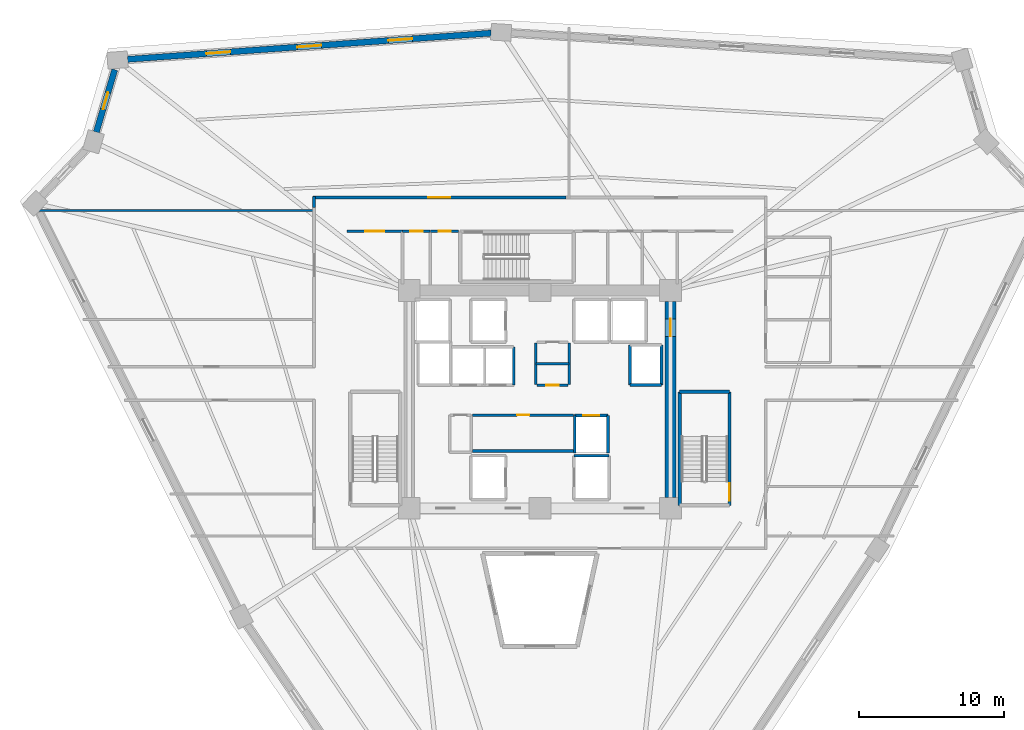
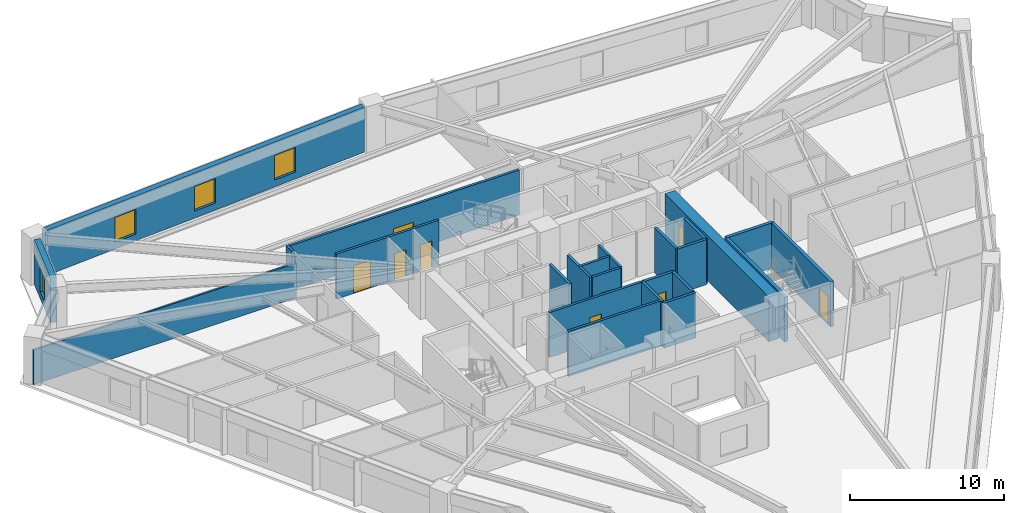
# One storey, part 5 of 8: 26 walls, 9 doors, 4 windows, 13 openings.
"""IFC4 building model written with IfcOpenShell, lengths in metres."""

from ifc_helpers import new_model, si_unit, direction, frame, frame_2d, origin, place, context, subcontext, project, spatial, rectangle, extrude, source, transform, mapped, material, layer, layer_set, type_object, element, fill, save


model = new_model("IFC4")

# Units and contexts
model_context = context("Model", 3, precision=1e-05, world=origin(), true_north=direction((0.0, 1.0)))
body_context = subcontext(model_context, "Body", "Model", "MODEL_VIEW")
ifc_project = project(units=[si_unit("LENGTHUNIT", "METRE"), si_unit("AREAUNIT", "SQUARE_METRE"), si_unit("VOLUMEUNIT", "CUBIC_METRE"), si_unit("PLANEANGLEUNIT", "RADIAN"), si_unit("MASSUNIT", "GRAM", prefix="KILO")], contexts=[model_context])

# Site, building, storey
site_placement = place(None, origin())
site = spatial("IfcSite", under=ifc_project, at=site_placement, CompositionType="ELEMENT")
building_placement = place(site_placement, origin())
building = spatial("IfcBuilding", under=site, at=building_placement, Name="Liaohun Quay Tower", CompositionType="ELEMENT")
storey_placement = place(building_placement, frame((0.0, 0.0, 170.25)))
storey = spatial("IfcBuildingStorey", under=building, at=storey_placement, Name="L44", CompositionType="ELEMENT", Elevation=170.25)

# Wall, opening, door
ifc_material_1 = material(Name="Concrete C60", Category="concrete")
ifc_layer_1 = layer(ifc_material_1, 0.75, Name="Concrete C60", Category="concrete")
ifc_layer_set_1 = layer_set([ifc_layer_1], Name="Concrete C60")
wall_type_1 = type_object("IfcWallType", Name="WAL-COR-Z2", PredefinedType="SHEAR", material=ifc_layer_set_1)
wall_1_placement = place(storey_placement, frame((69.0, 60.75, 0.0), z_axis=(0.0, 0.0, 1.0), x_axis=(0.0, -1.0, 0.0)))
wall_1 = element("IfcWall", 1, at=wall_1_placement, inside=storey, type_object=wall_type_1, Name="L44 Central Core Shear Wall E", PredefinedType="SHEAR", context=body_context, shape_type="SweptSolid", body=[
    extrude(rectangle(XDim=13.5, YDim=0.75, at=frame_2d((6.75, 0.0))), origin(), (0.0, 0.0, 1.0), 3.570068359375),
])
shared_shape_1 = source(origin(), body_context, "Body", "SweptSolid", [
    extrude(rectangle(XDim=1.199951171875, YDim=2.199951171875, at=frame_2d((0.60009765625, 1.10009765625))), frame((0.0, 0.385009765625, 0.0), z_axis=(0.0, -1.0, 0.0), x_axis=(1.0, 0.0, 0.0)), (0.0, 0.0, 1.0), 0.77001953125),
])
opening_1_placement = place(wall_1_placement, frame((1.199951171875, 0.0, 0.0)))
opening_1 = element("IfcOpeningElement", 2, at=opening_1_placement, cuts=wall_1, Name="Opening SD1", PredefinedType="OPENING", context=body_context, shape_type="MappedRepresentation", body=[
    mapped(shared_shape_1, transform((0.0, 0.0, 0.0), x_axis=(1.0, 0.0, 0.0), y_axis=(0.0, 1.0, 0.0), z_axis=(0.0, 0.0, 1.0), scale=1.0)),
])
ifc_material_2 = material(Name="Galvanised steel fire door", Category="steel")
door_type_1 = type_object("IfcDoorType", Name="DOR-STR-1200", OperationType="NOTDEFINED", PredefinedType="DOOR", material=ifc_material_2)
shared_shape_2 = source(origin(), body_context, "Body", "SweptSolid", [
    extrude(rectangle(XDim=1.199951171875, YDim=2.199951171875, at=frame_2d((0.60009765625, 1.10009765625))), frame((0.0, 0.02490234375, 0.0), z_axis=(0.0, -1.0, 0.0), x_axis=(1.0, 0.0, 0.0)), (0.0, 0.0, 1.0), 0.050048828125),
])
door_1_placement = place(opening_1_placement, origin())
door_1 = element("IfcDoor", 3, at=door_1_placement, inside=storey, type_object=door_type_1, Name="L44 North-East Core Lobby Smokeproof Door", OperationType="SINGLE_SWING_LEFT", OverallHeight=2.199951171875, OverallWidth=1.199951171875, PredefinedType="DOOR", context=body_context, shape_type="MappedRepresentation", body=[
    mapped(shared_shape_2, transform((0.0, 0.0, 0.0), x_axis=(1.0, 0.0, 0.0), y_axis=(0.0, 1.0, 0.0), z_axis=(0.0, 0.0, 1.0), scale=1.0)),
])
fill(opening_1, door_1)

# Wall, openings, windows
ifc_material_3 = material(Name="Precast concrete C50 insulated sandwich", Category="concrete")
ifc_layer_2 = layer(ifc_material_3, 0.419921875, Name="Precast concrete C50 insulated sandwich", Category="concrete")
ifc_layer_set_2 = layer_set([ifc_layer_2], Name="Precast concrete C50 insulated sandwich")
wall_type_2 = type_object("IfcWallType", Name="WAL-EXT-Z12", PredefinedType="SOLIDWALL", material=ifc_layer_set_2)
wall_2_placement = place(storey_placement, frame((56.64111328125, 79.23291015625, 0.0), z_axis=(0.0, 0.0, 1.0), x_axis=(-0.997406603589, -0.071972683136, 0.0)))
wall_2 = element("IfcWall", 4, at=wall_2_placement, inside=storey, type_object=wall_type_2, Name="L44 Brutalist Precast Pier Wall 07", PredefinedType="SOLIDWALL", context=body_context, shape_type="SweptSolid", body=[
    extrude(rectangle(XDim=25.105224609375, YDim=0.419921875, at=frame_2d((12.552734375, 0.0))), origin(), (0.0, 0.0, 1.0), 3.570068359375),
])
shared_shape_3 = source(origin(), body_context, "Body", "SweptSolid", [
    extrude(rectangle(XDim=1.64990234375, YDim=1.949951171875, at=frame_2d((0.824951171875, 0.97509765625))), frame((0.0, 0.219970703125, 0.0), z_axis=(0.0, -1.0, 0.0), x_axis=(1.0, 0.0, 0.0)), (0.0, 0.0, 1.0), 0.43994140625),
])
opening_2_placement = place(wall_2_placement, frame((5.450927734375, 0.0, 0.550048828125)))
opening_2 = element("IfcOpeningElement", 5, at=opening_2_placement, cuts=wall_2, Name="Opening W02", PredefinedType="OPENING", context=body_context, shape_type="MappedRepresentation", body=[
    mapped(shared_shape_3, transform((0.0, 0.0, 0.0), x_axis=(1.0, 0.0, 0.0), y_axis=(0.0, 1.0, 0.0), z_axis=(0.0, 0.0, 1.0), scale=1.0)),
])
opening_3_placement = place(wall_2_placement, frame((11.72802734375, 0.0, 0.550048828125)))
opening_3 = element("IfcOpeningElement", 6, at=opening_3_placement, cuts=wall_2, Name="Opening W02", PredefinedType="OPENING", context=body_context, shape_type="MappedRepresentation", body=[
    mapped(shared_shape_3, transform((0.0, 0.0, 0.0), x_axis=(1.0, 0.0, 0.0), y_axis=(0.0, 1.0, 0.0), z_axis=(0.0, 0.0, 1.0), scale=1.0)),
])
opening_4_placement = place(wall_2_placement, frame((18.00390625, 0.0, 0.550048828125)))
opening_4 = element("IfcOpeningElement", 7, at=opening_4_placement, cuts=wall_2, Name="Opening W02", PredefinedType="OPENING", context=body_context, shape_type="MappedRepresentation", body=[
    mapped(shared_shape_3, transform((0.0, 0.0, 0.0), x_axis=(1.0, 0.0, 0.0), y_axis=(0.0, 1.0, 0.0), z_axis=(0.0, 0.0, 1.0), scale=1.0)),
])
ifc_material_4 = material(Name="Triple Low-E argon glazing in thermally broken aluminium", Category="aluminium")
window_type_1 = type_object("IfcWindowType", Name="WIN-PUN-Z2", PartitioningType="DOUBLE_PANEL_VERTICAL", PredefinedType="WINDOW", material=ifc_material_4)
shared_shape_4 = source(origin(), body_context, "Body", "SweptSolid", [
    extrude(rectangle(XDim=1.64990234375, YDim=1.949951171875, at=frame_2d((0.824951171875, 0.97509765625))), frame((0.0, 0.030029296875, 0.0), z_axis=(0.0, -1.0, 0.0), x_axis=(1.0, 0.0, 0.0)), (0.0, 0.0, 1.0), 0.06005859375),
])
window_1_placement = place(opening_2_placement, origin())
window_1 = element("IfcWindow", 8, at=window_1_placement, inside=storey, type_object=window_type_1, Name="L44 Recessed Cold-Climate Punched Window 07-1", OverallHeight=1.949951171875, OverallWidth=1.64990234375, PartitioningType="DOUBLE_PANEL_VERTICAL", PredefinedType="WINDOW", context=body_context, shape_type="MappedRepresentation", body=[
    mapped(shared_shape_4, transform((0.0, 0.0, 0.0), x_axis=(1.0, 0.0, 0.0), y_axis=(0.0, 1.0, 0.0), z_axis=(0.0, 0.0, 1.0), scale=1.0)),
])
fill(opening_2, window_1)
window_2_placement = place(opening_3_placement, origin())
window_2 = element("IfcWindow", 9, at=window_2_placement, inside=storey, type_object=window_type_1, Name="L44 Recessed Cold-Climate Punched Window 07-2", OverallHeight=1.949951171875, OverallWidth=1.64990234375, PartitioningType="DOUBLE_PANEL_VERTICAL", PredefinedType="WINDOW", context=body_context, shape_type="MappedRepresentation", body=[
    mapped(shared_shape_4, transform((0.0, 0.0, 0.0), x_axis=(1.0, 0.0, 0.0), y_axis=(0.0, 1.0, 0.0), z_axis=(0.0, 0.0, 1.0), scale=1.0)),
])
fill(opening_3, window_2)
window_3_placement = place(opening_4_placement, origin())
window_3 = element("IfcWindow", 10, at=window_3_placement, inside=storey, type_object=window_type_1, Name="L44 Recessed Cold-Climate Punched Window 07-3", OverallHeight=1.949951171875, OverallWidth=1.64990234375, PartitioningType="DOUBLE_PANEL_VERTICAL", PredefinedType="WINDOW", context=body_context, shape_type="MappedRepresentation", body=[
    mapped(shared_shape_4, transform((0.0, 0.0, 0.0), x_axis=(1.0, 0.0, 0.0), y_axis=(0.0, 1.0, 0.0), z_axis=(0.0, 0.0, 1.0), scale=1.0)),
])
fill(opening_4, window_3)

# Wall, opening, window
wall_3_placement = place(storey_placement, frame((30.718017578125, 76.714111328125, 0.0), z_axis=(0.0, 0.0, 1.0), x_axis=(-0.282994479967, -0.959121537819, 0.0)))
wall_3 = element("IfcWall", 11, at=wall_3_placement, inside=storey, type_object=wall_type_2, Name="L44 Brutalist Precast Pier Wall 08", PredefinedType="SOLIDWALL", context=body_context, shape_type="SweptSolid", body=[
    extrude(rectangle(XDim=4.484375, YDim=0.419921875, at=frame_2d((2.2421875, 0.0))), origin(), (0.0, 0.0, 1.0), 3.570068359375),
])
shared_shape_5 = source(origin(), body_context, "Body", "SweptSolid", [
    extrude(rectangle(XDim=1.199951171875, YDim=1.89990234375, at=frame_2d((0.60009765625, 0.949951171875))), frame((0.0, 0.219970703125, 0.0), z_axis=(0.0, -1.0, 0.0), x_axis=(1.0, 0.0, 0.0)), (0.0, 0.0, 1.0), 0.43994140625),
])
opening_5_placement = place(wall_3_placement, frame((1.64208984375, 0.0, 0.550048828125)))
opening_5 = element("IfcOpeningElement", 12, at=opening_5_placement, cuts=wall_3, Name="Opening W05", PredefinedType="OPENING", context=body_context, shape_type="MappedRepresentation", body=[
    mapped(shared_shape_5, transform((0.0, 0.0, 0.0), x_axis=(1.0, 0.0, 0.0), y_axis=(0.0, 1.0, 0.0), z_axis=(0.0, 0.0, 1.0), scale=1.0)),
])
ifc_material_5 = material(Name="Triple Low-E corner notch glazing", Category="glass")
window_type_2 = type_object("IfcWindowType", Name="WIN-NOTCH", PartitioningType="SINGLE_PANEL", PredefinedType="WINDOW", material=ifc_material_5)
shared_shape_6 = source(origin(), body_context, "Body", "SweptSolid", [
    extrude(rectangle(XDim=1.199951171875, YDim=1.89990234375, at=frame_2d((0.60009765625, 0.949951171875))), frame((0.0, 0.030029296875, 0.0), z_axis=(0.0, -1.0, 0.0), x_axis=(1.0, 0.0, 0.0)), (0.0, 0.0, 1.0), 0.06005859375),
])
window_4_placement = place(opening_5_placement, origin())
window_4 = element("IfcWindow", 13, at=window_4_placement, inside=storey, type_object=window_type_2, Name="L44 Corner Notch Window W05-08", OverallHeight=1.89990234375, OverallWidth=1.199951171875, PartitioningType="SINGLE_PANEL", PredefinedType="WINDOW", context=body_context, shape_type="MappedRepresentation", body=[
    mapped(shared_shape_6, transform((0.0, 0.0, 0.0), x_axis=(1.0, 0.0, 0.0), y_axis=(0.0, 1.0, 0.0), z_axis=(0.0, 0.0, 1.0), scale=1.0)),
])
fill(opening_5, window_4)

# Wall, opening, door
ifc_material_6 = material(Name="Autoclaved aerated concrete blockwork", Category="masonry")
ifc_layer_3 = layer(ifc_material_6, 0.179931640625, Name="Autoclaved aerated concrete blockwork", Category="masonry")
ifc_layer_set_3 = layer_set([ifc_layer_3], Name="Autoclaved aerated concrete blockwork")
wall_type_3 = type_object("IfcWallType", Name="WAL-PRT-COR", PredefinedType="PARTITIONING", material=ifc_layer_set_3)
wall_4_placement = place(storey_placement, frame((55.3701171875, 52.919921875, 0.0), z_axis=(0.0, 0.0, 1.0), x_axis=(1.0, 0.0, 0.0)))
wall_4 = element("IfcWall", 14, at=wall_4_placement, inside=storey, type_object=wall_type_3, Name="L44 Interior Partition Wall 001", PredefinedType="PARTITIONING", context=body_context, shape_type="SweptSolid", body=[
    extrude(rectangle(XDim=6.929931640625, YDim=0.179931640625, at=frame_2d((3.46484375, 0.0))), origin(), (0.0, 0.0, 1.0), 3.570068359375),
])
shared_shape_7 = source(origin(), body_context, "Body", "SweptSolid", [
    extrude(rectangle(XDim=0.85009765625, YDim=2.10009765625, at=frame_2d((0.425048828125, 1.050048828125))), frame((0.0, 0.099853515625, 0.0), z_axis=(0.0, -1.0, 0.0), x_axis=(1.0, 0.0, 0.0)), (0.0, 0.0, 1.0), 0.199951171875),
])
opening_6_placement = place(wall_4_placement, frame((3.054931640625, 0.0, 0.0)))
opening_6 = element("IfcOpeningElement", 15, at=opening_6_placement, cuts=wall_4, Name="Opening AD1", PredefinedType="OPENING", context=body_context, shape_type="MappedRepresentation", body=[
    mapped(shared_shape_7, transform((0.0, 0.0, 0.0), x_axis=(1.0, 0.0, 0.0), y_axis=(0.0, 1.0, 0.0), z_axis=(0.0, 0.0, 1.0), scale=1.0)),
])
ifc_material_7 = material(Name="Steel riser inspection fire door", Category="steel")
door_type_2 = type_object("IfcDoorType", Name="DOR-SHF-850", OperationType="NOTDEFINED", PredefinedType="DOOR", material=ifc_material_7)
shared_shape_8 = source(origin(), body_context, "Body", "SweptSolid", [
    extrude(rectangle(XDim=0.85009765625, YDim=2.10009765625, at=frame_2d((0.425048828125, 1.050048828125))), frame((0.0, 0.02490234375, 0.0), z_axis=(0.0, -1.0, 0.0), x_axis=(1.0, 0.0, 0.0)), (0.0, 0.0, 1.0), 0.050048828125),
])
door_2_placement = place(opening_6_placement, origin())
door_2 = element("IfcDoor", 16, at=door_2_placement, inside=storey, type_object=door_type_2, Name="L44 Core Tenant Storage and Archive Room Door", OperationType="SINGLE_SWING_RIGHT", OverallHeight=2.10009765625, OverallWidth=0.85009765625, PredefinedType="DOOR", context=body_context, shape_type="MappedRepresentation", body=[
    mapped(shared_shape_8, transform((0.0, 0.0, 0.0), x_axis=(1.0, 0.0, 0.0), y_axis=(0.0, 1.0, 0.0), z_axis=(0.0, 0.0, 1.0), scale=1.0)),
])
fill(opening_6, door_2)

wall_5_placement = place(storey_placement, frame((59.81005859375, 54.97998046875, 0.0), z_axis=(0.0, 0.0, 1.0), x_axis=(1.0, 0.0, 0.0)))
wall_5 = element("IfcWall", 17, at=wall_5_placement, inside=storey, type_object=wall_type_3, Name="L44 Interior Partition Wall 002", PredefinedType="PARTITIONING", context=body_context, shape_type="SweptSolid", body=[
    extrude(rectangle(XDim=2.10986328125, YDim=0.179931640625, at=frame_2d((1.054931640625, 0.0))), origin(), (0.0, 0.0, 1.0), 3.570068359375),
])
opening_7_placement = place(wall_5_placement, frame((0.635009765625, 0.0, 0.0)))
opening_7 = element("IfcOpeningElement", 18, at=opening_7_placement, cuts=wall_5, Name="Opening AD1", PredefinedType="OPENING", context=body_context, shape_type="MappedRepresentation", body=[
    mapped(shared_shape_7, transform((0.0, 0.0, 0.0), x_axis=(1.0, 0.0, 0.0), y_axis=(0.0, 1.0, 0.0), z_axis=(0.0, 0.0, 1.0), scale=1.0)),
])
door_3_placement = place(opening_7_placement, origin())
door_3 = element("IfcDoor", 19, at=door_3_placement, inside=storey, type_object=door_type_2, Name="L44 Electrical Riser Room Door", OperationType="SINGLE_SWING_LEFT", OverallHeight=2.10009765625, OverallWidth=0.85009765625, PredefinedType="DOOR", context=body_context, shape_type="MappedRepresentation", body=[
    mapped(shared_shape_8, transform((0.0, 0.0, 0.0), x_axis=(1.0, 0.0, 0.0), y_axis=(0.0, 1.0, 0.0), z_axis=(0.0, 0.0, 1.0), scale=1.0)),
])
fill(opening_7, door_3)

wall_6_placement = place(storey_placement, frame((50.5400390625, 65.580078125, 0.0), z_axis=(0.0, 0.0, 1.0), x_axis=(1.0, 0.0, 0.0)))
wall_6 = element("IfcWall", 20, at=wall_6_placement, inside=storey, type_object=wall_type_3, Name="L44 Interior Partition Wall 008", PredefinedType="PARTITIONING", context=body_context, shape_type="SweptSolid", body=[
    extrude(rectangle(XDim=1.89990234375, YDim=0.179931640625, at=frame_2d((0.949951171875, 0.0))), origin(), (0.0, 0.0, 1.0), 3.570068359375),
])
opening_8_placement = place(wall_6_placement, frame((0.52490234375, 0.0, 0.0)))
opening_8 = element("IfcOpeningElement", 21, at=opening_8_placement, cuts=wall_6, Name="Opening AD1", PredefinedType="OPENING", context=body_context, shape_type="MappedRepresentation", body=[
    mapped(shared_shape_7, transform((0.0, 0.0, 0.0), x_axis=(1.0, 0.0, 0.0), y_axis=(0.0, 1.0, 0.0), z_axis=(0.0, 0.0, 1.0), scale=1.0)),
])
door_4_placement = place(opening_8_placement, origin())
door_4 = element("IfcDoor", 22, at=door_4_placement, inside=storey, type_object=door_type_2, Name="L44 North-West Riser Closet Door", OperationType="SINGLE_SWING_LEFT", OverallHeight=2.10009765625, OverallWidth=0.85009765625, PredefinedType="DOOR", context=body_context, shape_type="MappedRepresentation", body=[
    mapped(shared_shape_8, transform((0.0, 0.0, 0.0), x_axis=(1.0, 0.0, 0.0), y_axis=(0.0, 1.0, 0.0), z_axis=(0.0, 0.0, 1.0), scale=1.0)),
])
fill(opening_8, door_4)

wall_7_placement = place(storey_placement, frame((52.47998046875, 65.580078125, 0.0), z_axis=(0.0, 0.0, 1.0), x_axis=(1.0, 0.0, 0.0)))
wall_7 = element("IfcWall", 23, at=wall_7_placement, inside=storey, type_object=wall_type_3, Name="L44 Interior Partition Wall 009", PredefinedType="PARTITIONING", context=body_context, shape_type="SweptSolid", body=[
    extrude(rectangle(XDim=1.929931640625, YDim=0.179931640625, at=frame_2d((0.96484375, 0.0))), origin(), (0.0, 0.0, 1.0), 3.570068359375),
])
opening_9_placement = place(wall_7_placement, frame((0.5400390625, 0.0, 0.0)))
opening_9 = element("IfcOpeningElement", 24, at=opening_9_placement, cuts=wall_7, Name="Opening AD1", PredefinedType="OPENING", context=body_context, shape_type="MappedRepresentation", body=[
    mapped(shared_shape_7, transform((0.0, 0.0, 0.0), x_axis=(1.0, 0.0, 0.0), y_axis=(0.0, 1.0, 0.0), z_axis=(0.0, 0.0, 1.0), scale=1.0)),
])
door_5_placement = place(opening_9_placement, origin())
door_5 = element("IfcDoor", 25, at=door_5_placement, inside=storey, type_object=door_type_2, Name="L44 North-West Print Closet Door", OperationType="SINGLE_SWING_RIGHT", OverallHeight=2.10009765625, OverallWidth=0.85009765625, PredefinedType="DOOR", context=body_context, shape_type="MappedRepresentation", body=[
    mapped(shared_shape_8, transform((0.0, 0.0, 0.0), x_axis=(1.0, 0.0, 0.0), y_axis=(0.0, 1.0, 0.0), z_axis=(0.0, 0.0, 1.0), scale=1.0)),
])
fill(opening_9, door_5)

wall_8_placement = place(storey_placement, frame((46.699951171875, 65.580078125, 0.0), z_axis=(0.0, 0.0, 1.0), x_axis=(1.0, 0.0, 0.0)))
wall_8 = element("IfcWall", 26, at=wall_8_placement, inside=storey, type_object=wall_type_3, Name="L44 Interior Partition Wall 013", PredefinedType="PARTITIONING", context=body_context, shape_type="SweptSolid", body=[
    extrude(rectangle(XDim=3.840087890625, YDim=0.179931640625, at=frame_2d((1.919921875, 0.0))), origin(), (0.0, 0.0, 1.0), 3.570068359375),
])
shared_shape_9 = source(origin(), body_context, "Body", "SweptSolid", [
    extrude(rectangle(XDim=1.300048828125, YDim=2.199951171875, at=frame_2d((0.64990234375, 1.10009765625))), frame((0.0, 0.099853515625, 0.0), z_axis=(0.0, -1.0, 0.0), x_axis=(1.0, 0.0, 0.0)), (0.0, 0.0, 1.0), 0.199951171875),
])
opening_10_placement = place(wall_8_placement, frame((1.27001953125, 0.0, 0.0)))
opening_10 = element("IfcOpeningElement", 27, at=opening_10_placement, cuts=wall_8, Name="Opening FD1", PredefinedType="OPENING", context=body_context, shape_type="MappedRepresentation", body=[
    mapped(shared_shape_9, transform((0.0, 0.0, 0.0), x_axis=(1.0, 0.0, 0.0), y_axis=(0.0, 1.0, 0.0), z_axis=(0.0, 0.0, 1.0), scale=1.0)),
])
ifc_material_8 = material(Name="Galvanised steel smokeproof fire door", Category="steel")
door_type_3 = type_object("IfcDoorType", Name="DOR-FFL-1300", OperationType="NOTDEFINED", PredefinedType="DOOR", material=ifc_material_8)
shared_shape_10 = source(origin(), body_context, "Body", "SweptSolid", [
    extrude(rectangle(XDim=1.300048828125, YDim=2.199951171875, at=frame_2d((0.64990234375, 1.10009765625))), frame((0.0, 0.02490234375, 0.0), z_axis=(0.0, -1.0, 0.0), x_axis=(1.0, 0.0, 0.0)), (0.0, 0.0, 1.0), 0.050048828125),
])
door_6_placement = place(opening_10_placement, origin())
door_6 = element("IfcDoor", 28, at=door_6_placement, inside=storey, type_object=door_type_3, Name="L44 West Core Vestibule Door", OperationType="SINGLE_SWING_RIGHT", OverallHeight=2.199951171875, OverallWidth=1.300048828125, PredefinedType="DOOR", context=body_context, shape_type="MappedRepresentation", body=[
    mapped(shared_shape_10, transform((0.0, 0.0, 0.0), x_axis=(1.0, 0.0, 0.0), y_axis=(0.0, 1.0, 0.0), z_axis=(0.0, 0.0, 1.0), scale=1.0)),
])
fill(opening_10, door_6)

wall_9_placement = place(storey_placement, frame((44.3701171875, 67.909912109375, 0.0), z_axis=(0.0, 0.0, 1.0), x_axis=(1.0, 0.0, 0.0)))
wall_9 = element("IfcWall", 29, at=wall_9_placement, inside=storey, type_object=wall_type_3, Name="L44 Interior Partition Wall 017", PredefinedType="PARTITIONING", context=body_context, shape_type="SweptSolid", body=[
    extrude(rectangle(XDim=17.414794921875, YDim=0.179931640625, at=frame_2d((8.70751953125, 0.0))), origin(), (0.0, 0.0, 1.0), 3.570068359375),
])
shared_shape_11 = source(origin(), body_context, "Body", "SweptSolid", [
    extrude(rectangle(XDim=1.5, YDim=2.199951171875, at=frame_2d((0.75, 1.10009765625))), frame((0.0, 0.099853515625, 0.0), z_axis=(0.0, -1.0, 0.0), x_axis=(1.0, 0.0, 0.0)), (0.0, 0.0, 1.0), 0.199951171875),
])
opening_11_placement = place(wall_9_placement, frame((7.95703125, 0.0, 0.0)))
opening_11 = element("IfcOpeningElement", 30, at=opening_11_placement, cuts=wall_9, Name="Opening OD2", PredefinedType="OPENING", context=body_context, shape_type="MappedRepresentation", body=[
    mapped(shared_shape_11, transform((0.0, 0.0, 0.0), x_axis=(1.0, 0.0, 0.0), y_axis=(0.0, 1.0, 0.0), z_axis=(0.0, 0.0, 1.0), scale=1.0)),
])
ifc_material_9 = material(Name="Acoustic oak veneer double door")
door_type_4 = type_object("IfcDoorType", Name="DOR-OFF-1500", OperationType="DOUBLE_DOOR_SINGLE_SWING", PredefinedType="DOOR", material=ifc_material_9)
shared_shape_12 = source(origin(), body_context, "Body", "SweptSolid", [
    extrude(rectangle(XDim=1.5, YDim=2.199951171875, at=frame_2d((0.75, 1.10009765625))), frame((0.0, 0.02490234375, 0.0), z_axis=(0.0, -1.0, 0.0), x_axis=(1.0, 0.0, 0.0)), (0.0, 0.0, 1.0), 0.050048828125),
])
door_7_placement = place(opening_11_placement, origin())
door_7 = element("IfcDoor", 31, at=door_7_placement, inside=storey, type_object=door_type_4, Name="L44 Technical Reference Library 03 Door", OperationType="DOUBLE_DOOR_SINGLE_SWING", OverallHeight=2.199951171875, OverallWidth=1.5, PredefinedType="DOOR", context=body_context, shape_type="MappedRepresentation", body=[
    mapped(shared_shape_12, transform((0.0, 0.0, 0.0), x_axis=(1.0, 0.0, 0.0), y_axis=(0.0, 1.0, 0.0), z_axis=(0.0, 0.0, 1.0), scale=1.0)),
])
fill(opening_11, door_7)

# Walls
for number, where, z_axis, x_axis, name in (
    (32, (59.719970703125, 55.02001953125, 0.0), (0.0, 0.0, 1.0), (0.0, 1.0, 0.0), "L44 Interior Partition Wall 025"),
    (33, (62.010009765625, 55.02001953125, 0.0), (0.0, 0.0, 1.0), (0.0, 1.0, 0.0), "L44 Interior Partition Wall 026"),
):
    element("IfcWall", number, at=place(storey_placement, frame(where, z_axis=z_axis, x_axis=x_axis)), inside=storey, type_object=wall_type_3, Name=name, PredefinedType="PARTITIONING", context=body_context, shape_type="SweptSolid", body=[
        extrude(rectangle(XDim=2.8798828125, YDim=0.179931640625, at=frame_2d((1.43994140625, 0.0))), origin(), (0.0, 0.0, 1.0), 3.570068359375),
    ])
wall_10_placement = place(storey_placement, frame((59.719970703125, 56.4599609375, 0.0), z_axis=(0.0, 0.0, 1.0), x_axis=(1.0, 0.0, 0.0)))
element("IfcWall", 34, at=wall_10_placement, inside=storey, type_object=wall_type_3, Name="L44 Interior Partition Wall 027", PredefinedType="PARTITIONING", context=body_context, shape_type="SweptSolid", body=[
    extrude(rectangle(XDim=2.2900390625, YDim=0.179931640625, at=frame_2d((1.14501953125, 0.0))), origin(), (0.0, 0.0, 1.0), 3.570068359375),
])
wall_11_placement = place(storey_placement, frame((44.43994140625, 67.215087890625, 0.0), z_axis=(0.0, 0.0, 1.0), x_axis=(0.0, 1.0, 0.0)))
element("IfcWall", 35, at=wall_11_placement, inside=storey, type_object=wall_type_3, Name="L44 Interior Partition Wall 043", PredefinedType="PARTITIONING", context=body_context, shape_type="SweptSolid", body=[
    extrude(rectangle(XDim=0.764892578125, YDim=0.179931640625, at=frame_2d((0.38232421875, 0.0))), origin(), (0.0, 0.0, 1.0), 3.570068359375),
])
wall_12_placement = place(storey_placement, frame((55.3701171875, 50.449951171875, 0.0), z_axis=(0.0, 0.0, 1.0), x_axis=(1.0, 0.0, 0.0)))
element("IfcWall", 36, at=wall_12_placement, inside=storey, type_object=wall_type_3, Name="L44 Interior Partition Wall 057", PredefinedType="PARTITIONING", context=body_context, shape_type="SweptSolid", body=[
    extrude(rectangle(XDim=6.929931640625, YDim=0.179931640625, at=frame_2d((3.46484375, 0.0))), origin(), (0.0, 0.0, 1.0), 3.570068359375),
])
ifc_material_10 = material(Name="Gypsum board on twin steel studs", Category="steel")
ifc_layer_4 = layer(ifc_material_10, 0.139892578125, Name="Gypsum board on twin steel studs", Category="steel")
ifc_layer_set_4 = layer_set([ifc_layer_4], Name="Gypsum board on twin steel studs")
wall_type_4 = type_object("IfcWallType", Name="WAL-PRT-OFF", PredefinedType="PARTITIONING", material=ifc_layer_set_4)
wall_13_placement = place(storey_placement, frame((44.5400390625, 67.0, 0.0), z_axis=(0.0, 0.0, 1.0), x_axis=(-1.0, 0.0, 0.0)))
element("IfcWall", 37, at=wall_13_placement, inside=storey, type_object=wall_type_4, Name="L44 Interior Partition Wall 052", PredefinedType="PARTITIONING", context=body_context, shape_type="SweptSolid", body=[
    extrude(rectangle(XDim=19.77197265625, YDim=0.139892578125, at=frame_2d((9.885986328125, 0.0))), origin(), (0.0, 0.0, 1.0), 2.7548828125),
])

# Wall, opening, door
ifc_material_11 = material(Name="Concrete C50", Category="concrete")
ifc_layer_5 = layer(ifc_material_11, 0.239990234375, Name="Concrete C50", Category="concrete")
ifc_layer_set_5 = layer_set([ifc_layer_5], Name="Concrete C50")
wall_type_5 = type_object("IfcWallType", Name="WAL-SHF-200", PredefinedType="SOLIDWALL", material=ifc_layer_set_5)
wall_14_placement = place(storey_placement, frame((73.06005859375, 46.699951171875, 0.0), z_axis=(0.0, 0.0, 1.0), x_axis=(0.0, 1.0, 0.0)))
wall_14 = element("IfcWall", 38, at=wall_14_placement, inside=storey, type_object=wall_type_5, Name="L44 Stairwell ST-2 Structural Core Wall E", PredefinedType="SOLIDWALL", context=body_context, shape_type="SweptSolid", body=[
    extrude(rectangle(XDim=7.820068359375, YDim=0.239990234375, at=frame_2d((3.91015625, 0.0))), origin(), (0.0, 0.0, 1.0), 3.570068359375),
])
shared_shape_13 = source(origin(), body_context, "Body", "SweptSolid", [
    extrude(rectangle(XDim=1.199951171875, YDim=2.199951171875, at=frame_2d((0.60009765625, 1.10009765625))), frame((0.0, 0.1298828125, 0.0), z_axis=(0.0, -1.0, 0.0), x_axis=(1.0, 0.0, 0.0)), (0.0, 0.0, 1.0), 0.260009765625),
])
opening_12_placement = place(wall_14_placement, frame((0.320068359375, 0.0, 0.0)))
opening_12 = element("IfcOpeningElement", 39, at=opening_12_placement, cuts=wall_14, Name="Opening SD1", PredefinedType="OPENING", context=body_context, shape_type="MappedRepresentation", body=[
    mapped(shared_shape_13, transform((0.0, 0.0, 0.0), x_axis=(1.0, 0.0, 0.0), y_axis=(0.0, 1.0, 0.0), z_axis=(0.0, 0.0, 1.0), scale=1.0)),
])
door_8_placement = place(opening_12_placement, origin())
door_8 = element("IfcDoor", 40, at=door_8_placement, inside=storey, type_object=door_type_1, Name="L44 Protected Stair ST-2 Fire Door", OperationType="SINGLE_SWING_RIGHT", OverallHeight=2.199951171875, OverallWidth=1.199951171875, PredefinedType="DOOR", context=body_context, shape_type="MappedRepresentation", body=[
    mapped(shared_shape_2, transform((0.0, 0.0, 0.0), x_axis=(1.0, 0.0, 0.0), y_axis=(0.0, 1.0, 0.0), z_axis=(0.0, 0.0, 1.0), scale=1.0)),
])
fill(opening_12, door_8)

# Walls
wall_15_placement = place(storey_placement, frame((73.06005859375, 54.52001953125, 0.0), z_axis=(0.0, 0.0, 1.0), x_axis=(-1.0, 0.0, 0.0)))
element("IfcWall", 41, at=wall_15_placement, inside=storey, type_object=wall_type_5, Name="L44 Stairwell ST-2 Structural Core Wall N", PredefinedType="SOLIDWALL", context=body_context, shape_type="SweptSolid", body=[
    extrude(rectangle(XDim=3.43994140625, YDim=0.239990234375, at=frame_2d((1.719970703125, 0.0))), origin(), (0.0, 0.0, 1.0), 3.570068359375),
])
wall_16_placement = place(storey_placement, frame((69.6201171875, 54.52001953125, 0.0), z_axis=(0.0, 0.0, 1.0), x_axis=(0.0, -1.0, 0.0)))
element("IfcWall", 42, at=wall_16_placement, inside=storey, type_object=wall_type_5, Name="L44 Stairwell ST-2 Structural Core Wall W", PredefinedType="SOLIDWALL", context=body_context, shape_type="SweptSolid", body=[
    extrude(rectangle(XDim=7.820068359375, YDim=0.239990234375, at=frame_2d((3.91015625, 0.0))), origin(), (0.0, 0.0, 1.0), 3.570068359375),
])
wall_17_placement = place(storey_placement, frame((64.75, 50.1201171875, 0.0), z_axis=(0.0, 0.0, 1.0), x_axis=(-1.0, 0.0, 0.0)))
element("IfcWall", 43, at=wall_17_placement, inside=storey, type_object=wall_type_5, Name="L44 Lift FF-02 Hoistway Wall N", PredefinedType="SOLIDWALL", context=body_context, shape_type="SweptSolid", body=[
    extrude(rectangle(XDim=2.39990234375, YDim=0.199951171875, at=frame_2d((1.199951171875, 0.0))), origin(), (0.0, 0.0, 1.0), 3.570068359375),
])
wall_18_placement = place(storey_placement, frame((66.199951171875, 55.0, 0.0), z_axis=(0.0, 0.0, 1.0), x_axis=(1.0, 0.0, 0.0)))
element("IfcWall", 44, at=wall_18_placement, inside=storey, type_object=wall_type_5, Name="L44 Lift SH-03 Hoistway Wall S", PredefinedType="SOLIDWALL", context=body_context, shape_type="SweptSolid", body=[
    extrude(rectangle(XDim=2.179931640625, YDim=0.199951171875, at=frame_2d((1.08984375, 0.0))), origin(), (0.0, 0.0, 1.0), 3.570068359375),
])
for number, where, z_axis, x_axis, name in (
    (45, (68.3798828125, 55.0, 0.0), (0.0, 0.0, 1.0), (0.0, 1.0, 0.0), "L44 Lift SH-03 Hoistway Wall E"),
    (46, (66.199951171875, 57.75, 0.0), (0.0, 0.0, 1.0), (0.0, -1.0, 0.0), "L44 Lift SH-03 Hoistway Wall W"),
):
    element("IfcWall", number, at=place(storey_placement, frame(where, z_axis=z_axis, x_axis=x_axis)), inside=storey, type_object=wall_type_5, Name=name, PredefinedType="SOLIDWALL", context=body_context, shape_type="SweptSolid", body=[
        extrude(rectangle(XDim=2.75, YDim=0.199951171875, at=frame_2d((1.375, 0.0))), origin(), (0.0, 0.0, 1.0), 3.570068359375),
    ])
wall_19_placement = place(storey_placement, frame((64.699951171875, 50.300048828125, 0.0), z_axis=(0.0, 0.0, 1.0), x_axis=(0.0, 1.0, 0.0)))
element("IfcWall", 47, at=wall_19_placement, inside=storey, type_object=wall_type_5, Name="L44 Lift PL-2A Hoistway Wall E", PredefinedType="SOLIDWALL", context=body_context, shape_type="SweptSolid", body=[
    extrude(rectangle(XDim=2.599853515625, YDim=0.199951171875, at=frame_2d((1.2998046875, 0.0))), origin(), (0.0, 0.0, 1.0), 3.570068359375),
])

# Wall, opening, door
wall_20_placement = place(storey_placement, frame((64.699951171875, 52.89990234375, 0.0), z_axis=(0.0, 0.0, 1.0), x_axis=(-1.0, 0.0, 0.0)))
wall_20 = element("IfcWall", 48, at=wall_20_placement, inside=storey, type_object=wall_type_5, Name="L44 Lift PL-2A Hoistway Wall N", PredefinedType="SOLIDWALL", context=body_context, shape_type="SweptSolid", body=[
    extrude(rectangle(XDim=2.300048828125, YDim=0.199951171875, at=frame_2d((1.14990234375, 0.0))), origin(), (0.0, 0.0, 1.0), 3.570068359375),
])
shared_shape_14 = source(origin(), body_context, "Body", "SweptSolid", [
    extrude(rectangle(XDim=1.10009765625, YDim=2.199951171875, at=frame_2d((0.550048828125, 1.10009765625))), frame((0.0, 0.10986328125, 0.0), z_axis=(0.0, -1.0, 0.0), x_axis=(1.0, 0.0, 0.0)), (0.0, 0.0, 1.0), 0.219970703125),
])
opening_13_placement = place(wall_20_placement, frame((0.60009765625, 0.0, 0.0)))
opening_13 = element("IfcOpeningElement", 49, at=opening_13_placement, cuts=wall_20, Name="Opening LD1", PredefinedType="OPENING", context=body_context, shape_type="MappedRepresentation", body=[
    mapped(shared_shape_14, transform((0.0, 0.0, 0.0), x_axis=(1.0, 0.0, 0.0), y_axis=(0.0, 1.0, 0.0), z_axis=(0.0, 0.0, 1.0), scale=1.0)),
])
ifc_material_12 = material(Name="Brushed stainless steel landing door", Category="steel")
door_type_5 = type_object("IfcDoorType", Name="DOR-LFT-1100", OperationType="SLIDING_TO_LEFT", PredefinedType="DOOR", material=ifc_material_12)
shared_shape_15 = source(origin(), body_context, "Body", "SweptSolid", [
    extrude(rectangle(XDim=1.10009765625, YDim=2.199951171875, at=frame_2d((0.550048828125, 1.10009765625))), frame((0.0, 0.02490234375, 0.0), z_axis=(0.0, -1.0, 0.0), x_axis=(1.0, 0.0, 0.0)), (0.0, 0.0, 1.0), 0.050048828125),
])
door_9_placement = place(opening_13_placement, origin())
door_9 = element("IfcDoor", 50, at=door_9_placement, inside=storey, type_object=door_type_5, Name="L44 Lift PL-2A Sliding Landing Door", OperationType="SLIDING_TO_LEFT", OverallHeight=2.199951171875, OverallWidth=1.10009765625, PredefinedType="DOOR", context=body_context, shape_type="MappedRepresentation", body=[
    mapped(shared_shape_15, transform((0.0, 0.0, 0.0), x_axis=(1.0, 0.0, 0.0), y_axis=(0.0, 1.0, 0.0), z_axis=(0.0, 0.0, 1.0), scale=1.0)),
])
fill(opening_13, door_9)

# Walls
wall_21_placement = place(storey_placement, frame((62.39990234375, 52.89990234375, 0.0), z_axis=(0.0, 0.0, 1.0), x_axis=(0.0, -1.0, 0.0)))
element("IfcWall", 51, at=wall_21_placement, inside=storey, type_object=wall_type_5, Name="L44 Lift PL-2A Hoistway Wall W", PredefinedType="SOLIDWALL", context=body_context, shape_type="SweptSolid", body=[
    extrude(rectangle(XDim=2.599853515625, YDim=0.199951171875, at=frame_2d((1.2998046875, 0.0))), origin(), (0.0, 0.0, 1.0), 3.570068359375),
])
wall_22_placement = place(storey_placement, frame((58.199951171875, 55.0, 0.0), z_axis=(0.0, 0.0, 1.0), x_axis=(0.0, 1.0, 0.0)))
element("IfcWall", 52, at=wall_22_placement, inside=storey, type_object=wall_type_5, Name="L44 Lift PL-2C Hoistway Wall E", PredefinedType="SOLIDWALL", context=body_context, shape_type="SweptSolid", body=[
    extrude(rectangle(XDim=2.60009765625, YDim=0.199951171875, at=frame_2d((1.300048828125, 0.0))), origin(), (0.0, 0.0, 1.0), 3.570068359375),
])

save(model, "model.ifc")
